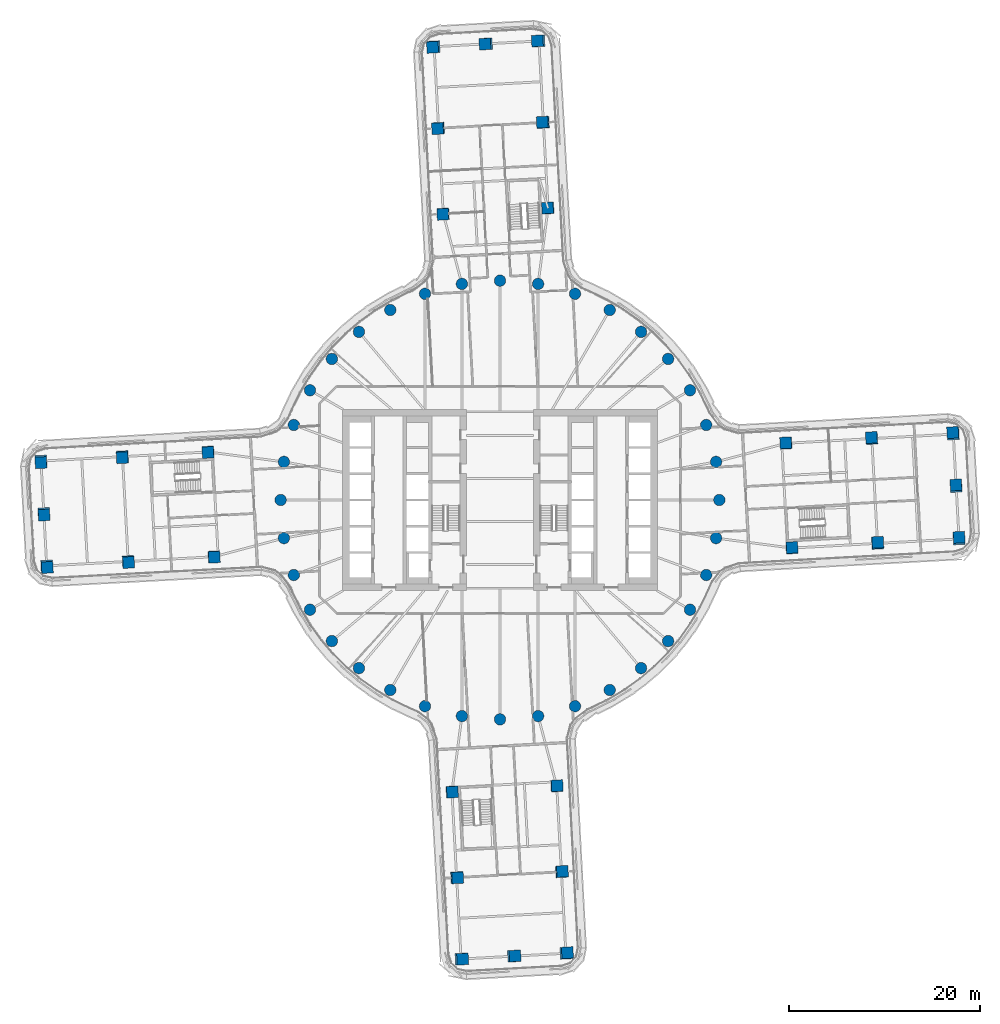
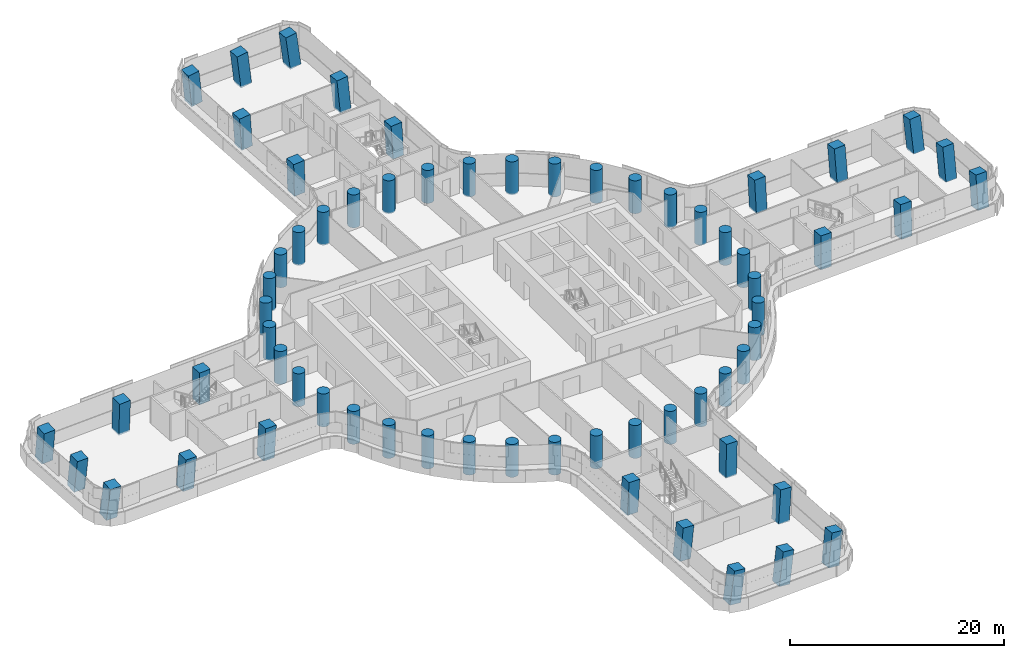
# One storey, part 1 of 31: 64 columns.
"""IFC4 building model written with IfcOpenShell, lengths in metres."""

from ifc_helpers import new_model, si_unit, direction, frame, origin, origin_2d, place, context, subcontext, project, spatial, rectangle, circle, extrude, material, material_profile, profile_set, type_object, element, save


model = new_model("IFC4")

# Units and contexts
model_context = context("Model", 3, precision=1e-05, world=origin(), true_north=direction((0.0, 1.0)))
body_context = subcontext(model_context, "Body", "Model", "MODEL_VIEW")
ifc_project = project(units=[si_unit("LENGTHUNIT", "METRE"), si_unit("AREAUNIT", "SQUARE_METRE"), si_unit("VOLUMEUNIT", "CUBIC_METRE"), si_unit("PLANEANGLEUNIT", "RADIAN"), si_unit("MASSUNIT", "GRAM", prefix="KILO")], contexts=[model_context])

# Site, building, storey
site_placement = place(None, origin())
site = spatial("IfcSite", under=ifc_project, at=site_placement, CompositionType="ELEMENT")
building_placement = place(site_placement, origin())
building = spatial("IfcBuilding", under=site, at=building_placement, Name="Tamarind Cross Interchange Tower", CompositionType="ELEMENT")
storey_placement = place(building_placement, frame((0.0, 0.0, 45.25)))
storey = spatial("IfcBuildingStorey", under=building, at=storey_placement, Name="L09", CompositionType="ELEMENT", Elevation=45.25)

# Columns
ifc_material = material(Name="Concrete C70", Category="concrete")
ifc_material_profile_1 = material_profile(ifc_material, rectangle(XDim=1.199951171875, YDim=1.199951171875, at=origin_2d()), Name="RC 1200x1200")
ifc_profile_set_1 = profile_set([ifc_material_profile_1], Name="Concrete C70")
column_type_1 = type_object("IfcColumnType", Name="Column RC 1200x1200 Concrete C70", PredefinedType="COLUMN", material=ifc_profile_set_1)
for number, where, z_axis, x_axis, name in (
    (1, (38.973388671875, 6.437744140625, -0.138427734375), (-0.031934075298, 0.08197710793, 0.996122466673), (0.053168121073, -0.99508034262, 0.083595829041), "Column L09-036"),
    (2, (39.574951171875, -4.545654296875, -0.138427734375), (0.021224642654, 0.085288013602, 0.996130247146), (-0.998224255996, -0.053660122279, 0.025863604117), "Column L09-037"),
):
    element("IfcColumn", number, at=place(storey_placement, frame(where, z_axis=z_axis, x_axis=x_axis)), inside=storey, type_object=column_type_1, Name=name, PredefinedType="COLUMN", context=body_context, shape_type="SweptSolid", body=[
        extrude(rectangle(XDim=1.199951171875, YDim=1.199951171875, at=origin_2d()), origin(), (0.0, 0.0, 1.0), 3.761474609375),
    ])
for number, where, z_axis, x_axis, name in (
    (3, (29.98681640625, 5.945556640625, -0.138671875), (-0.029218506047, 0.038524177237, 0.998830399353), (0.053937297229, -0.997740431337, 0.040059950603), "Column L09-038"),
    (4, (30.58837890625, -5.037841796875, -0.138671875), (0.024077632644, 0.041908095737, 0.998831306637), (-0.998191790325, -0.054036203931, 0.026329420663), "Column L09-039"),
):
    element("IfcColumn", number, at=place(storey_placement, frame(where, z_axis=z_axis, x_axis=x_axis)), inside=storey, type_object=column_type_1, Name=name, PredefinedType="COLUMN", context=body_context, shape_type="SweptSolid", body=[
        extrude(rectangle(XDim=1.199951171875, YDim=1.199951171875, at=origin_2d()), origin(), (0.0, 0.0, 1.0), 3.751708984375),
    ])
column_1_placement = place(storey_placement, frame((48.117431640625, -4.077880859375, -0.138671875), z_axis=(0.007303798154, 0.125328005492, 0.992088476685), x_axis=(-0.998469471826, -0.053476403825, 0.014106312941)))
element("IfcColumn", 5, at=column_1_placement, inside=storey, type_object=column_type_1, Name="Column L09-040", PredefinedType="COLUMN", context=body_context, shape_type="SweptSolid", body=[
    extrude(rectangle(XDim=1.199951171875, YDim=1.199951171875, at=origin_2d()), origin(), (0.0, 0.0, 1.0), 3.777099609375),
])
column_2_placement = place(storey_placement, frame((47.816650390625, 1.413818359375, -0.138427734375), z_axis=(-0.019198930674, 0.123661799254, 0.992138680058), x_axis=(0.05335330437, -0.990780977498, 0.124525015725)))
element("IfcColumn", 6, at=column_2_placement, inside=storey, type_object=column_type_1, Name="Column L09-041", PredefinedType="COLUMN", context=body_context, shape_type="SweptSolid", body=[
    extrude(rectangle(XDim=1.199951171875, YDim=1.199951171875, at=origin_2d()), origin(), (0.0, 0.0, 1.0), 3.77685546875),
])
column_3_placement = place(storey_placement, frame((47.515869140625, 6.90576171875, -0.138427734375), z_axis=(-0.04561147604, 0.121845954408, 0.99150045721), x_axis=(0.051565268276, -0.990923061453, 0.124147127993)))
element("IfcColumn", 7, at=column_3_placement, inside=storey, type_object=column_type_1, Name="Column L09-042", PredefinedType="COLUMN", context=body_context, shape_type="SweptSolid", body=[
    extrude(rectangle(XDim=1.199951171875, YDim=1.199951171875, at=origin_2d()), origin(), (0.0, 0.0, 1.0), 3.779052734375),
])
for number, where, z_axis, x_axis, name in (
    (8, (-6.437744140625, 38.973388671875, -0.138427734375), (-0.08197710793, -0.031934075298, 0.996122466673), (0.99508034262, 0.053168121073, 0.083595829041), "Column L09-043"),
    (9, (4.545654296875, 39.574951171875, -0.138427734375), (-0.085288013602, 0.021224642654, 0.996130247146), (0.053660122279, -0.998224255996, 0.025863604117), "Column L09-044"),
):
    element("IfcColumn", number, at=place(storey_placement, frame(where, z_axis=z_axis, x_axis=x_axis)), inside=storey, type_object=column_type_1, Name=name, PredefinedType="COLUMN", context=body_context, shape_type="SweptSolid", body=[
        extrude(rectangle(XDim=1.199951171875, YDim=1.199951171875, at=origin_2d()), origin(), (0.0, 0.0, 1.0), 3.761474609375),
    ])
for number, where, z_axis, x_axis, name in (
    (10, (-5.945556640625, 29.98681640625, -0.138671875), (-0.038524177237, -0.029218506047, 0.998830399353), (0.997740431337, 0.053937297229, 0.040059950603), "Column L09-045"),
    (11, (5.037841796875, 30.58837890625, -0.138671875), (-0.041908095737, 0.024077632644, 0.998831306637), (0.054036203931, -0.998191790325, 0.026329420663), "Column L09-046"),
):
    element("IfcColumn", number, at=place(storey_placement, frame(where, z_axis=z_axis, x_axis=x_axis)), inside=storey, type_object=column_type_1, Name=name, PredefinedType="COLUMN", context=body_context, shape_type="SweptSolid", body=[
        extrude(rectangle(XDim=1.199951171875, YDim=1.199951171875, at=origin_2d()), origin(), (0.0, 0.0, 1.0), 3.751708984375),
    ])
column_4_placement = place(storey_placement, frame((4.077880859375, 48.117431640625, -0.138671875), z_axis=(-0.125328005492, 0.007303798154, 0.992088476685), x_axis=(0.053476403825, -0.998469471826, 0.014106312941)))
element("IfcColumn", 12, at=column_4_placement, inside=storey, type_object=column_type_1, Name="Column L09-047", PredefinedType="COLUMN", context=body_context, shape_type="SweptSolid", body=[
    extrude(rectangle(XDim=1.199951171875, YDim=1.199951171875, at=origin_2d()), origin(), (0.0, 0.0, 1.0), 3.777099609375),
])
column_5_placement = place(storey_placement, frame((-1.413818359375, 47.816650390625, -0.138427734375), z_axis=(-0.123661799254, -0.019198930674, 0.992138680058), x_axis=(0.990780977498, 0.05335330437, 0.124525015725)))
element("IfcColumn", 13, at=column_5_placement, inside=storey, type_object=column_type_1, Name="Column L09-048", PredefinedType="COLUMN", context=body_context, shape_type="SweptSolid", body=[
    extrude(rectangle(XDim=1.199951171875, YDim=1.199951171875, at=origin_2d()), origin(), (0.0, 0.0, 1.0), 3.77685546875),
])
column_6_placement = place(storey_placement, frame((-6.90576171875, 47.515869140625, -0.138427734375), z_axis=(-0.121845954408, -0.04561147604, 0.99150045721), x_axis=(0.990923061453, 0.051565268276, 0.124147127993)))
element("IfcColumn", 14, at=column_6_placement, inside=storey, type_object=column_type_1, Name="Column L09-049", PredefinedType="COLUMN", context=body_context, shape_type="SweptSolid", body=[
    extrude(rectangle(XDim=1.199951171875, YDim=1.199951171875, at=origin_2d()), origin(), (0.0, 0.0, 1.0), 3.779052734375),
])
for number, where, z_axis, x_axis, name in (
    (15, (-38.973388671875, -6.437744140625, -0.138427734375), (0.031934075298, -0.08197710793, 0.996122466673), (-0.053168121073, 0.99508034262, 0.083595829041), "Column L09-050"),
    (16, (-39.574951171875, 4.545654296875, -0.138427734375), (-0.021224642654, -0.085288013602, 0.996130247146), (0.998224255996, 0.053660122279, 0.025863604117), "Column L09-051"),
):
    element("IfcColumn", number, at=place(storey_placement, frame(where, z_axis=z_axis, x_axis=x_axis)), inside=storey, type_object=column_type_1, Name=name, PredefinedType="COLUMN", context=body_context, shape_type="SweptSolid", body=[
        extrude(rectangle(XDim=1.199951171875, YDim=1.199951171875, at=origin_2d()), origin(), (0.0, 0.0, 1.0), 3.761474609375),
    ])
for number, where, z_axis, x_axis, name in (
    (17, (-29.98681640625, -5.945556640625, -0.138671875), (0.029218506047, -0.038524177237, 0.998830399353), (-0.053937297229, 0.997740431337, 0.040059950603), "Column L09-052"),
    (18, (-30.58837890625, 5.037841796875, -0.138671875), (-0.024077632644, -0.041908095737, 0.998831306637), (0.998191790325, 0.054036203931, 0.026329420663), "Column L09-053"),
):
    element("IfcColumn", number, at=place(storey_placement, frame(where, z_axis=z_axis, x_axis=x_axis)), inside=storey, type_object=column_type_1, Name=name, PredefinedType="COLUMN", context=body_context, shape_type="SweptSolid", body=[
        extrude(rectangle(XDim=1.199951171875, YDim=1.199951171875, at=origin_2d()), origin(), (0.0, 0.0, 1.0), 3.751708984375),
    ])
column_7_placement = place(storey_placement, frame((-48.117431640625, 4.077880859375, -0.138671875), z_axis=(-0.007303798154, -0.125328005492, 0.992088476685), x_axis=(0.998469471826, 0.053476403825, 0.014106312941)))
element("IfcColumn", 19, at=column_7_placement, inside=storey, type_object=column_type_1, Name="Column L09-054", PredefinedType="COLUMN", context=body_context, shape_type="SweptSolid", body=[
    extrude(rectangle(XDim=1.199951171875, YDim=1.199951171875, at=origin_2d()), origin(), (0.0, 0.0, 1.0), 3.777099609375),
])
column_8_placement = place(storey_placement, frame((-47.816650390625, -1.413818359375, -0.138427734375), z_axis=(0.019198930674, -0.123661799254, 0.992138680058), x_axis=(-0.05335330437, 0.990780977498, 0.124525015725)))
element("IfcColumn", 20, at=column_8_placement, inside=storey, type_object=column_type_1, Name="Column L09-055", PredefinedType="COLUMN", context=body_context, shape_type="SweptSolid", body=[
    extrude(rectangle(XDim=1.199951171875, YDim=1.199951171875, at=origin_2d()), origin(), (0.0, 0.0, 1.0), 3.77685546875),
])
column_9_placement = place(storey_placement, frame((-47.515869140625, -6.90576171875, -0.138427734375), z_axis=(0.04561147604, -0.121845954408, 0.99150045721), x_axis=(-0.051565268276, 0.990923061453, 0.124147127993)))
element("IfcColumn", 21, at=column_9_placement, inside=storey, type_object=column_type_1, Name="Column L09-056", PredefinedType="COLUMN", context=body_context, shape_type="SweptSolid", body=[
    extrude(rectangle(XDim=1.199951171875, YDim=1.199951171875, at=origin_2d()), origin(), (0.0, 0.0, 1.0), 3.779052734375),
])
for number, where, z_axis, x_axis, name in (
    (22, (6.437744140625, -38.973388671875, -0.138427734375), (0.08197710793, 0.031934075298, 0.996122466673), (-0.99508034262, -0.053168121073, 0.083595829041), "Column L09-057"),
    (23, (-4.545654296875, -39.574951171875, -0.138427734375), (0.085288013602, -0.021224642654, 0.996130247146), (-0.053660122279, 0.998224255996, 0.025863604117), "Column L09-058"),
):
    element("IfcColumn", number, at=place(storey_placement, frame(where, z_axis=z_axis, x_axis=x_axis)), inside=storey, type_object=column_type_1, Name=name, PredefinedType="COLUMN", context=body_context, shape_type="SweptSolid", body=[
        extrude(rectangle(XDim=1.199951171875, YDim=1.199951171875, at=origin_2d()), origin(), (0.0, 0.0, 1.0), 3.761474609375),
    ])
for number, where, z_axis, x_axis, name in (
    (24, (5.945556640625, -29.98681640625, -0.138671875), (0.038524177237, 0.029218506047, 0.998830399353), (-0.997740431337, -0.053937297229, 0.040059950603), "Column L09-059"),
    (25, (-5.037841796875, -30.58837890625, -0.138671875), (0.041908095737, -0.024077632644, 0.998831306637), (-0.054036203931, 0.998191790325, 0.026329420663), "Column L09-060"),
):
    element("IfcColumn", number, at=place(storey_placement, frame(where, z_axis=z_axis, x_axis=x_axis)), inside=storey, type_object=column_type_1, Name=name, PredefinedType="COLUMN", context=body_context, shape_type="SweptSolid", body=[
        extrude(rectangle(XDim=1.199951171875, YDim=1.199951171875, at=origin_2d()), origin(), (0.0, 0.0, 1.0), 3.751708984375),
    ])
column_10_placement = place(storey_placement, frame((-4.077880859375, -48.117431640625, -0.138671875), z_axis=(0.125328005492, -0.007303798154, 0.992088476685), x_axis=(-0.053476403825, 0.998469471826, 0.014106312941)))
element("IfcColumn", 26, at=column_10_placement, inside=storey, type_object=column_type_1, Name="Column L09-061", PredefinedType="COLUMN", context=body_context, shape_type="SweptSolid", body=[
    extrude(rectangle(XDim=1.199951171875, YDim=1.199951171875, at=origin_2d()), origin(), (0.0, 0.0, 1.0), 3.777099609375),
])
column_11_placement = place(storey_placement, frame((1.413818359375, -47.816650390625, -0.138427734375), z_axis=(0.123661799254, 0.019198930674, 0.992138680058), x_axis=(-0.990780977498, -0.05335330437, 0.124525015725)))
element("IfcColumn", 27, at=column_11_placement, inside=storey, type_object=column_type_1, Name="Column L09-062", PredefinedType="COLUMN", context=body_context, shape_type="SweptSolid", body=[
    extrude(rectangle(XDim=1.199951171875, YDim=1.199951171875, at=origin_2d()), origin(), (0.0, 0.0, 1.0), 3.77685546875),
])
column_12_placement = place(storey_placement, frame((6.90576171875, -47.515869140625, -0.138427734375), z_axis=(0.121845954408, 0.04561147604, 0.99150045721), x_axis=(-0.990923061453, -0.051565268276, 0.124147127993)))
element("IfcColumn", 28, at=column_12_placement, inside=storey, type_object=column_type_1, Name="Column L09-063", PredefinedType="COLUMN", context=body_context, shape_type="SweptSolid", body=[
    extrude(rectangle(XDim=1.199951171875, YDim=1.199951171875, at=origin_2d()), origin(), (0.0, 0.0, 1.0), 3.779052734375),
])
ifc_material_profile_2 = material_profile(ifc_material, circle(Radius=0.60009765625, at=origin_2d()), Name="RC D1200")
ifc_profile_set_2 = profile_set([ifc_material_profile_2], Name="Concrete C70")
column_type_2 = type_object("IfcColumnType", Name="Column RC D1200 Concrete C70", PredefinedType="COLUMN", material=ifc_profile_set_2)
for number, where, z_axis, x_axis, name in (
    (29, (23.0, 0.0, -0.139892578125), (0.0, 0.0, 1.0), (1.0, 0.0, 0.0), "Column L09-000"),
    (30, (22.650634765625, 3.993896484375, -0.139892578125), (0.0, 0.0, 1.0), (1.0, 0.0, 0.0), "Column L09-001"),
    (31, (21.613037109375, 7.866455078125, -0.139892578125), (0.0, 0.0, 1.0), (1.0, 0.0, 0.0), "Column L09-002"),
    (32, (19.918701171875, 11.5, -0.139892578125), (0.0, 0.0, 1.0), (1.0, 0.0, 0.0), "Column L09-003"),
    (33, (17.619140625, 14.7841796875, -0.139892578125), (0.0, 0.0, 1.0), (1.0, 0.0, 0.0), "Column L09-004"),
    (34, (14.7841796875, 17.619140625, -0.139892578125), (0.0, 0.0, 1.0), (1.0, 0.0, 0.0), "Column L09-005"),
    (35, (11.5, 19.918701171875, -0.139892578125), (0.0, 0.0, 1.0), (1.0, 0.0, 0.0), "Column L09-006"),
    (36, (7.866455078125, 21.613037109375, -0.139892578125), (0.0, 0.0, 1.0), (1.0, 0.0, 0.0), "Column L09-007"),
    (37, (3.993896484375, 22.650634765625, -0.139892578125), (0.0, 0.0, 1.0), (1.0, 0.0, 0.0), "Column L09-008"),
    (38, (0.0, 23.0, -0.139892578125), (0.0, 0.0, 1.0), (1.0, 0.0, 0.0), "Column L09-009"),
    (39, (-3.993896484375, 22.650634765625, -0.139892578125), (0.0, 0.0, 1.0), (1.0, 0.0, 0.0), "Column L09-010"),
    (40, (-7.866455078125, 21.613037109375, -0.139892578125), (0.0, 0.0, 1.0), (1.0, 0.0, 0.0), "Column L09-011"),
    (41, (-11.5, 19.918701171875, -0.139892578125), (0.0, 0.0, 1.0), (1.0, 0.0, 0.0), "Column L09-012"),
    (42, (-14.7841796875, 17.619140625, -0.139892578125), (0.0, 0.0, 1.0), (1.0, 0.0, 0.0), "Column L09-013"),
    (43, (-17.619140625, 14.7841796875, -0.139892578125), (0.0, 0.0, 1.0), (1.0, 0.0, 0.0), "Column L09-014"),
    (44, (-19.918701171875, 11.5, -0.139892578125), (0.0, 0.0, 1.0), (1.0, 0.0, 0.0), "Column L09-015"),
    (45, (-21.613037109375, 7.866455078125, -0.139892578125), (0.0, 0.0, 1.0), (1.0, 0.0, 0.0), "Column L09-016"),
    (46, (-22.650634765625, 3.993896484375, -0.139892578125), (0.0, 0.0, 1.0), (1.0, 0.0, 0.0), "Column L09-017"),
    (47, (-23.0, 0.0, -0.139892578125), (0.0, 0.0, 1.0), (1.0, 0.0, 0.0), "Column L09-018"),
    (48, (-22.650634765625, -3.993896484375, -0.139892578125), (0.0, 0.0, 1.0), (1.0, 0.0, 0.0), "Column L09-019"),
    (49, (-21.613037109375, -7.866455078125, -0.139892578125), (0.0, 0.0, 1.0), (1.0, 0.0, 0.0), "Column L09-020"),
    (50, (-19.918701171875, -11.5, -0.139892578125), (0.0, 0.0, 1.0), (1.0, 0.0, 0.0), "Column L09-021"),
    (51, (-17.619140625, -14.7841796875, -0.139892578125), (0.0, 0.0, 1.0), (1.0, 0.0, 0.0), "Column L09-022"),
    (52, (-14.7841796875, -17.619140625, -0.139892578125), (0.0, 0.0, 1.0), (1.0, 0.0, 0.0), "Column L09-023"),
    (53, (-11.5, -19.918701171875, -0.139892578125), (0.0, 0.0, 1.0), (1.0, 0.0, 0.0), "Column L09-024"),
    (54, (-7.866455078125, -21.613037109375, -0.139892578125), (0.0, 0.0, 1.0), (1.0, 0.0, 0.0), "Column L09-025"),
    (55, (-3.993896484375, -22.650634765625, -0.139892578125), (0.0, 0.0, 1.0), (1.0, 0.0, 0.0), "Column L09-026"),
    (56, (0.0, -23.0, -0.139892578125), (0.0, 0.0, 1.0), (1.0, 0.0, 0.0), "Column L09-027"),
    (57, (3.993896484375, -22.650634765625, -0.139892578125), (0.0, 0.0, 1.0), (1.0, 0.0, 0.0), "Column L09-028"),
    (58, (7.866455078125, -21.613037109375, -0.139892578125), (0.0, 0.0, 1.0), (1.0, 0.0, 0.0), "Column L09-029"),
    (59, (11.5, -19.918701171875, -0.139892578125), (0.0, 0.0, 1.0), (1.0, 0.0, 0.0), "Column L09-030"),
    (60, (14.7841796875, -17.619140625, -0.139892578125), (0.0, 0.0, 1.0), (1.0, 0.0, 0.0), "Column L09-031"),
    (61, (17.619140625, -14.7841796875, -0.139892578125), (0.0, 0.0, 1.0), (1.0, 0.0, 0.0), "Column L09-032"),
    (62, (19.918701171875, -11.5, -0.139892578125), (0.0, 0.0, 1.0), (1.0, 0.0, 0.0), "Column L09-033"),
    (63, (21.613037109375, -7.866455078125, -0.139892578125), (0.0, 0.0, 1.0), (1.0, 0.0, 0.0), "Column L09-034"),
    (64, (22.650634765625, -3.993896484375, -0.139892578125), (0.0, 0.0, 1.0), (1.0, 0.0, 0.0), "Column L09-035"),
):
    element("IfcColumn", number, at=place(storey_placement, frame(where, z_axis=z_axis, x_axis=x_axis)), inside=storey, type_object=column_type_2, Name=name, PredefinedType="COLUMN", context=body_context, shape_type="SweptSolid", body=[
        extrude(circle(Radius=0.60009765625, at=origin_2d()), origin(), (0.0, 0.0, 1.0), 3.75),
    ])

save(model, "model.ifc")
